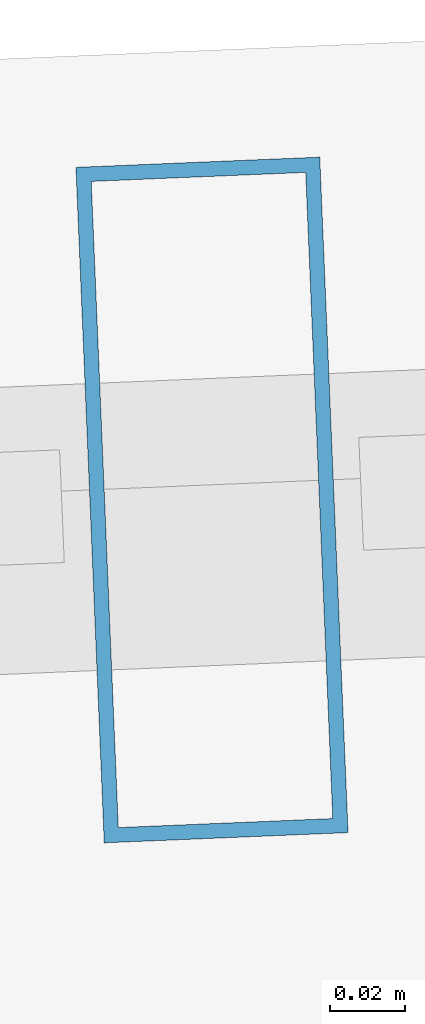
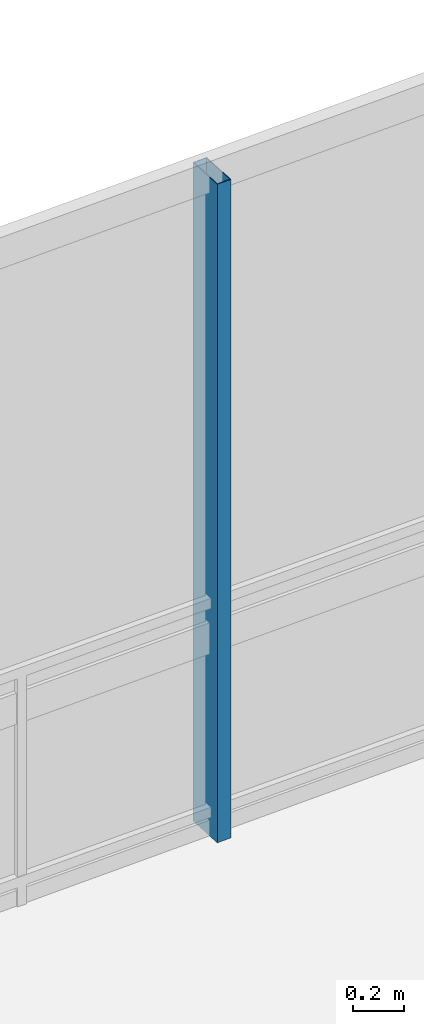
# One storey, part 16 of 25: 1 member, 1 element without a shape of its own.
"""IFC4 building model written with IfcOpenShell, lengths in metres."""

from ifc_helpers import new_model, si_unit, direction, frame, origin, origin_2d, place, context, subcontext, project, spatial, hollow_rectangle, extrude, material, layer, layer_set, material_profile, profile_set, type_object, element, aggregate, save


model = new_model("IFC4")

# Units and contexts
model_context = context("Model", 3, precision=1e-05, world=origin(), true_north=direction((0.0, 1.0)))
body_context = subcontext(model_context, "Body", "Model", "MODEL_VIEW")
ifc_project = project(units=[si_unit("LENGTHUNIT", "METRE"), si_unit("AREAUNIT", "SQUARE_METRE"), si_unit("VOLUMEUNIT", "CUBIC_METRE"), si_unit("PLANEANGLEUNIT", "RADIAN"), si_unit("MASSUNIT", "GRAM", prefix="KILO")], contexts=[model_context])

# Site, building, storey
site_placement = place(None, origin())
site = spatial("IfcSite", under=ifc_project, at=site_placement, CompositionType="ELEMENT")
building_placement = place(site_placement, origin())
building = spatial("IfcBuilding", under=site, at=building_placement, Name="Qarnah Convention Tower", CompositionType="ELEMENT")
storey_placement = place(building_placement, frame((0.0, 0.0, 76.35009765625)))
storey = spatial("IfcBuildingStorey", under=building, at=storey_placement, Name="L19", CompositionType="ELEMENT", Elevation=76.35009765625)

# Curtain wall, member
ifc_material_1 = material(Name="Tempered Low-E dark glass", Category="glass")
ifc_layer = layer(ifc_material_1, 0.169921875)
ifc_layer_set = layer_set([ifc_layer], Name="Tempered Low-E dark glass")
curtain_wall_type = type_object("IfcCurtainWallType", Name="CWS-02", PredefinedType="NOTDEFINED", material=ifc_layer_set)
curtain_wall_placement = place(storey_placement, origin())
curtain_wall = element("IfcCurtainWall", 1, at=curtain_wall_placement, inside=storey, type_object=curtain_wall_type, Name="L19 unitised curtain wall CW-L19-F4", PredefinedType="NOTDEFINED")
ifc_material_2 = material(Name="Black anodised aluminium", Category="aluminium")
ifc_material_profile = material_profile(ifc_material_2, hollow_rectangle(XDim=0.06494140625, YDim=0.179931640625, WallThickness=0.00390625, at=origin_2d()), Name="MUL-65X180")
ifc_profile_set = profile_set([ifc_material_profile], Name="Black anodised aluminium")
member_type = type_object("IfcMemberType", Name="MUL-T2", PredefinedType="MULLION", material=ifc_profile_set)
member_placement = place(storey_placement, frame((33.998291015625, 44.200439453125, 0.0), z_axis=(0.0, 0.0, 1.0), x_axis=(0.999123070538, 0.041869916632, 0.0)))
member = element("IfcMember", 2, at=member_placement, type_object=member_type, Name="CW-L19-F4 mullion 3", PredefinedType="MULLION", context=body_context, shape_type="SweptSolid", body=[
    extrude(hollow_rectangle(XDim=0.06494140625, YDim=0.179931640625, WallThickness=0.00390625, at=origin_2d()), origin(), (0.0, 0.0, 1.0), 3.169921875),
])
aggregate(curtain_wall, [member])

save(model, "model.ifc")
